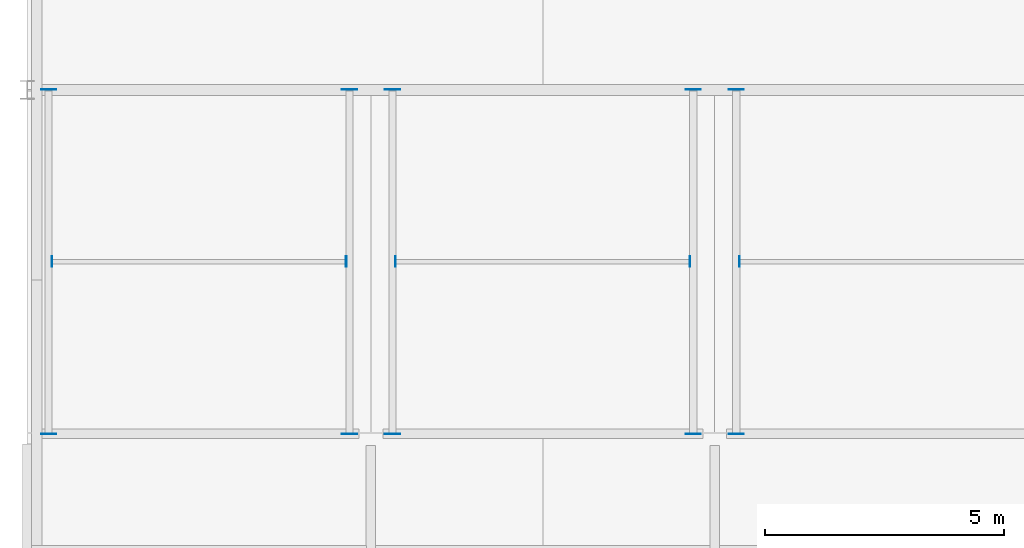
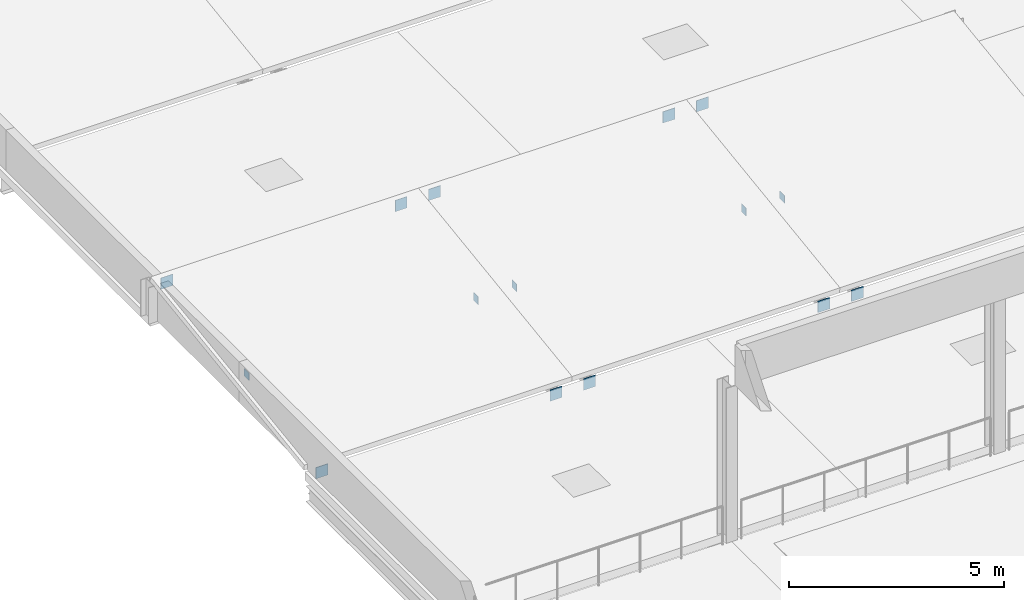
# One storey, part 19 of 32: 15 plates.
"""IFC4 building model written with IfcOpenShell, lengths in metres."""

import ifcopenshell
import ifcopenshell.guid

model = None  # the IFC model being written
_history = None  # IfcOwnerHistory: only IFC2X3 demands one
_inside = {}  # id of a spatial element -> (the spatial element, [elements in it])
_under = {}  # id of a project, library or spatial element -> (it, [spatial elements below it])
_declared = {}  # id of a project -> (the project, [libraries it declares])
_typed = {}  # id of a type object -> (the type object, [elements of that type])
_made_of = {}  # id of a material, layer set ... -> (it, [elements and type objects made of it])


def new_model(schema):
    """Start an empty IFC model of exactly this schema.

    Asked for "IFC4X3", IfcOpenShell would pick the latest addendum, in which some entities
    have other attributes; the version numbers below select the first issue.
    IFC2X3 requires an IfcOwnerHistory on every rooted entity: one is made here for all.
    """
    global model, _history
    if schema == "IFC4X3":
        model = ifcopenshell.file(schema_version=(4, 3, 0, 0))
    else:
        model = ifcopenshell.file(schema=schema)
    _inside.clear()
    _under.clear()
    _declared.clear()
    _typed.clear()
    _made_of.clear()
    _history = None
    if model.schema == "IFC2X3":
        org = make("IfcOrganization", Name="unknown")
        user = make(
            "IfcPersonAndOrganization",
            ThePerson=make("IfcPerson", FamilyName="unknown"),
            TheOrganization=org,
        )
        app = make(
            "IfcApplication",
            ApplicationDeveloper=org,
            Version="unknown",
            ApplicationFullName="unknown",
            ApplicationIdentifier="unknown",
        )
        _history = make(
            "IfcOwnerHistory",
            OwningUser=user,
            OwningApplication=app,
            ChangeAction="ADDED",
            CreationDate=0,
        )
    return model


def make(cls, **values):
    """One entity of the class cls with the attributes given. An attribute that is None is left unset."""
    return model.create_entity(
        cls, **{name: value for name, value in values.items() if value is not None}
    )


def rooted(cls, **values):
    """An entity with a GlobalId (a new one), such as an element, a storey or a relation."""
    return make(cls, GlobalId=ifcopenshell.guid.new(), OwnerHistory=_history, **values)


def si_unit(unit_type, name, prefix=None):
    """IfcSIUnit, for example si_unit("LENGTHUNIT", "METRE", prefix="MILLI")."""
    return make("IfcSIUnit", UnitType=unit_type, Prefix=prefix, Name=name)


def assignment(units):
    """IfcUnitAssignment: the units of a project."""
    return None if units is None else make("IfcUnitAssignment", Units=units)


def point(xyz):
    """IfcCartesianPoint."""
    return None if xyz is None else make("IfcCartesianPoint", Coordinates=xyz)


def direction(xyz):
    """IfcDirection."""
    return None if xyz is None else make("IfcDirection", DirectionRatios=xyz)


def frame(location, z_axis=None, x_axis=None):
    """IfcAxis2Placement3D, a coordinate frame: its origin and axes. An axis left out is left unset."""
    return make(
        "IfcAxis2Placement3D",
        Location=point(location),
        Axis=direction(z_axis),
        RefDirection=direction(x_axis),
    )


def frame_2d(location, x_axis=None):
    """IfcAxis2Placement2D, a coordinate frame in the plane: its origin and x axis."""
    return make(
        "IfcAxis2Placement2D", Location=point(location), RefDirection=direction(x_axis)
    )


def origin():
    """The frame at (0, 0, 0) with its axes left unset."""
    return frame((0.0, 0.0, 0.0))


def origin_2d():
    """The frame at (0, 0) in the plane with its x axis left unset."""
    return frame_2d((0.0, 0.0))


def place(relative_to, where):
    """IfcLocalPlacement: puts the frame where relative to a parent placement (None: the world)."""
    return make(
        "IfcLocalPlacement", PlacementRelTo=relative_to, RelativePlacement=where
    )


def context(
    kind, dimensions, precision=None, world=None, true_north=None, identifier=None
):
    """IfcGeometricRepresentationContext, for example the 3D "Model" context."""
    return make(
        "IfcGeometricRepresentationContext",
        ContextIdentifier=identifier,
        ContextType=kind,
        CoordinateSpaceDimension=dimensions,
        Precision=precision,
        WorldCoordinateSystem=world,
        TrueNorth=true_north,
    )


def subcontext(parent, identifier, kind, view, scale=None):
    """IfcGeometricRepresentationSubContext, for example "Body" below "Model"."""
    return make(
        "IfcGeometricRepresentationSubContext",
        ContextIdentifier=identifier,
        ContextType=kind,
        ParentContext=parent,
        TargetScale=scale,
        TargetView=view,
    )


def project(units=None, contexts=None):
    """IfcProject with its units and contexts."""
    return rooted(
        "IfcProject",
        Name="project",
        RepresentationContexts=contexts,
        UnitsInContext=assignment(units),
    )


def spatial(cls, under=None, at=None, **own):
    """A site, building, storey or space (cls), placed at a placement, below another one or the project."""
    s = rooted(cls, ObjectPlacement=at, **own)
    if under is not None:
        _under.setdefault(under.id(), (under, []))[1].append(s)
    return s


def profile(cls, at=None, kind="AREA", **sizes):
    """A parametric profile (cls). Its sizes go by their IFC names, for example OverallWidth=200.0."""
    return make(cls, ProfileType=kind, Position=at, **sizes)


def rectangle(**sizes):
    """IfcRectangleProfileDef."""
    return profile("IfcRectangleProfileDef", **sizes)


def extrude(swept, where, along, depth):
    """IfcExtrudedAreaSolid: the profile swept, set in the frame where, extruded along a direction by depth."""
    return make(
        "IfcExtrudedAreaSolid",
        SweptArea=swept,
        Position=where,
        ExtrudedDirection=direction(along),
        Depth=depth,
    )


def shape(context_of_items, identifier, shape_type, items):
    """IfcShapeRepresentation: the items that make up one representation, for example the "Body"."""
    return make(
        "IfcShapeRepresentation",
        ContextOfItems=context_of_items,
        RepresentationIdentifier=identifier,
        RepresentationType=shape_type,
        Items=items,
    )


def material(Name=None, Category=None):
    """IfcMaterial."""
    return make("IfcMaterial", Name=Name, Category=Category)


def layer(
    of_material, thickness, ventilated=None, Name=None, Category=None, Priority=None
):
    """IfcMaterialLayer: one layer of a wall or slab, of a material (None: an air gap)."""
    return make(
        "IfcMaterialLayer",
        Material=of_material,
        LayerThickness=thickness,
        IsVentilated=ventilated,
        Name=Name,
        Category=Category,
        Priority=Priority,
    )


def layer_set(layers, Name=None):
    """IfcMaterialLayerSet."""
    return make("IfcMaterialLayerSet", MaterialLayers=layers, LayerSetName=Name)


def made_of(thing, what):
    """Note that an element or type object is made of a material, layer set ...; save() writes the relation."""
    if what is not None:
        _made_of.setdefault(what.id(), (what, []))[1].append(thing)
    return thing


def type_object(cls, material=None, **own):
    """A type object (cls), such as IfcWallType, which elements share."""
    return made_of(rooted(cls, **own), material)


def element(
    cls,
    number,
    at=None,
    inside=None,
    cuts=None,
    type_object=None,
    material=None,
    context=None,
    identifier="Body",
    shape_type=None,
    held_by="IfcProductDefinitionShape",
    body=None,
    shapes=None,
    **own,
):
    """One element of the class cls, such as IfcWall. Its Tag is "e" and its number.

    at: its placement. inside: the storey or other place that contains it. cuts: it is an
    opening in that element (IfcRelVoidsElement). A single representation is given by context,
    identifier, shape_type and body (its items); several are given by shapes. held_by: the class
    of the entity that holds the representations. save() writes the other relations.
    """
    e = rooted(cls, Tag="e%d" % number, ObjectPlacement=at, **own)
    if body is not None:
        shapes = [shape(context, identifier, shape_type, body)]
    if shapes is not None:
        e.Representation = make(held_by, Representations=shapes)
    if inside is not None:
        _inside.setdefault(inside.id(), (inside, []))[1].append(e)
    if cuts is not None:
        rooted(
            "IfcRelVoidsElement", RelatingBuildingElement=cuts, RelatedOpeningElement=e
        )
    if type_object is not None:
        _typed.setdefault(type_object.id(), (type_object, []))[1].append(e)
    return made_of(e, material)


def aggregate(whole, parts):
    """IfcRelAggregates: a whole, such as a stair, and the parts it consists of."""
    return rooted("IfcRelAggregates", RelatingObject=whole, RelatedObjects=parts)


def save(model, path):
    """Write the relations noted so far, then the file.

    IfcRelAggregates (storeys below a building ...), IfcRelContainedInSpatialStructure (elements
    in a storey), IfcRelDefinesByType, IfcRelAssociatesMaterial and IfcRelDeclares: one each for
    every whole, place, type object, material and project.
    """
    for whole, parts in _under.values():
        aggregate(whole, parts)
    for where, things in _inside.values():
        rooted(
            "IfcRelContainedInSpatialStructure",
            RelatedElements=things,
            RelatingStructure=where,
        )
    for kind, things in _typed.values():
        rooted("IfcRelDefinesByType", RelatedObjects=things, RelatingType=kind)
    for what, things in _made_of.values():
        rooted("IfcRelAssociatesMaterial", RelatedObjects=things, RelatingMaterial=what)
    for by, libraries in _declared.values():
        rooted("IfcRelDeclares", RelatingContext=by, RelatedDefinitions=libraries)
    model.write(path)


model = new_model("IFC4")

# Units and contexts
model_context = context("Model", 3, precision=1e-05, world=origin(), true_north=direction((0.0, 1.0)))
body_context = subcontext(model_context, "Body", "Model", "MODEL_VIEW")
ifc_project = project(units=[si_unit("LENGTHUNIT", "METRE"), si_unit("AREAUNIT", "SQUARE_METRE"), si_unit("VOLUMEUNIT", "CUBIC_METRE"), si_unit("PLANEANGLEUNIT", "RADIAN"), si_unit("MASSUNIT", "GRAM", prefix="KILO")], contexts=[model_context])

# Site, building, storey
site_placement = place(None, origin())
site = spatial("IfcSite", under=ifc_project, at=site_placement, CompositionType="ELEMENT")
building_placement = place(site_placement, origin())
building = spatial("IfcBuilding", under=site, at=building_placement, Name="Sardonyx Promenade Sports Hall", CompositionType="ELEMENT")
storey_placement = place(building_placement, frame((0.0, 0.0, 20.39990234375)))
storey = spatial("IfcBuildingStorey", under=building, at=storey_placement, Name="L04", CompositionType="ELEMENT", Elevation=20.39990234375)

# Plates
ifc_material_1 = material(Name="Steel S355JR", Category="steel")
ifc_layer_1 = layer(ifc_material_1, 0.01611328125)
ifc_layer_set_1 = layer_set([ifc_layer_1], Name="Plt_EndCap_EC2")
plate_type_1 = type_object("IfcPlateType", Name="Plt_EndCap_EC2", PredefinedType="USERDEFINED", material=ifc_layer_set_1)
for number, where, z_axis, x_axis, name in (
    (1, (0.449951171875, 35.991943359375, -0.29150390625), (0.0, 0.0, 1.0), (1.0, 0.0, 0.0), "Rafter end-cap plate #1"),
    (2, (0.449951171875, 43.2080078125, 0.72021484375), (0.0, 0.0, 1.0), (1.0, 0.0, 0.0), "Rafter end-cap plate #2"),
    (3, (6.75, 35.991943359375, -0.29150390625), (0.0, 0.0, 1.0), (1.0, 0.0, 0.0), "Rafter end-cap plate #3"),
    (4, (6.75, 43.2080078125, 0.72021484375), (0.0, 0.0, 1.0), (1.0, 0.0, 0.0), "Rafter end-cap plate #4"),
    (5, (7.64990234375, 35.991943359375, -0.29150390625), (0.0, 0.0, 1.0), (1.0, 0.0, 0.0), "Rafter end-cap plate #9"),
    (6, (7.64990234375, 43.2080078125, 0.72021484375), (0.0, 0.0, 1.0), (1.0, 0.0, 0.0), "Rafter end-cap plate #10"),
    (7, (13.949951171875, 35.991943359375, -0.29150390625), (0.0, 0.0, 1.0), (1.0, 0.0, 0.0), "Rafter end-cap plate #11"),
    (8, (13.949951171875, 43.2080078125, 0.72021484375), (0.0, 0.0, 1.0), (1.0, 0.0, 0.0), "Rafter end-cap plate #12"),
    (9, (14.85009765625, 35.991943359375, -0.29150390625), (0.0, 0.0, 1.0), (1.0, 0.0, 0.0), "Rafter end-cap plate #17"),
    (10, (14.85009765625, 43.2080078125, 0.72021484375), (0.0, 0.0, 1.0), (1.0, 0.0, 0.0), "Rafter end-cap plate #18"),
):
    element("IfcPlate", number, at=place(storey_placement, frame(where, z_axis=z_axis, x_axis=x_axis)), inside=storey, type_object=plate_type_1, Name=name, ObjectType="END CAP PLATE", PredefinedType="USERDEFINED", context=body_context, shape_type="SweptSolid", body=[
        extrude(rectangle(XDim=0.320068359375, YDim=0.01611328125, at=origin_2d()), origin(), (0.0, 0.0, 1.0), 0.320068359375),
    ])
ifc_material_2 = material(Name="Steel S355JR", Category="steel")
ifc_layer_2 = layer(ifc_material_2, 0.011962890625)
ifc_layer_set_2 = layer_set([ifc_layer_2], Name="Plt_EndCap_EC3")
plate_type_2 = type_object("IfcPlateType", Name="Plt_EndCap_EC3", PredefinedType="USERDEFINED", material=ifc_layer_set_2)
for number, where, z_axis, x_axis, name in (
    (11, (0.51708984375, 39.60009765625, 0.2958984375), (0.0, 0.0, 1.0), (1.0, 0.0, 0.0), "Purlin end-cap plate #51W"),
    (12, (6.68310546875, 39.60009765625, 0.2958984375), (0.0, 0.0, 1.0), (1.0, 0.0, 0.0), "Purlin end-cap plate #51E"),
    (13, (7.717041015625, 39.60009765625, 0.2958984375), (0.0, 0.0, 1.0), (1.0, 0.0, 0.0), "Purlin end-cap plate #53W"),
    (14, (13.883056640625, 39.60009765625, 0.2958984375), (0.0, 0.0, 1.0), (1.0, 0.0, 0.0), "Purlin end-cap plate #53E"),
    (15, (14.9169921875, 39.60009765625, 0.2958984375), (0.0, 0.0, 1.0), (1.0, 0.0, 0.0), "Purlin end-cap plate #55W"),
):
    element("IfcPlate", number, at=place(storey_placement, frame(where, z_axis=z_axis, x_axis=x_axis)), inside=storey, type_object=plate_type_2, Name=name, ObjectType="END CAP PLATE", PredefinedType="USERDEFINED", context=body_context, shape_type="SweptSolid", body=[
        extrude(rectangle(XDim=0.011962890625, YDim=0.219970703125, at=origin_2d()), origin(), (0.0, 0.0, 1.0), 0.219970703125),
    ])

save(model, "model.ifc")
